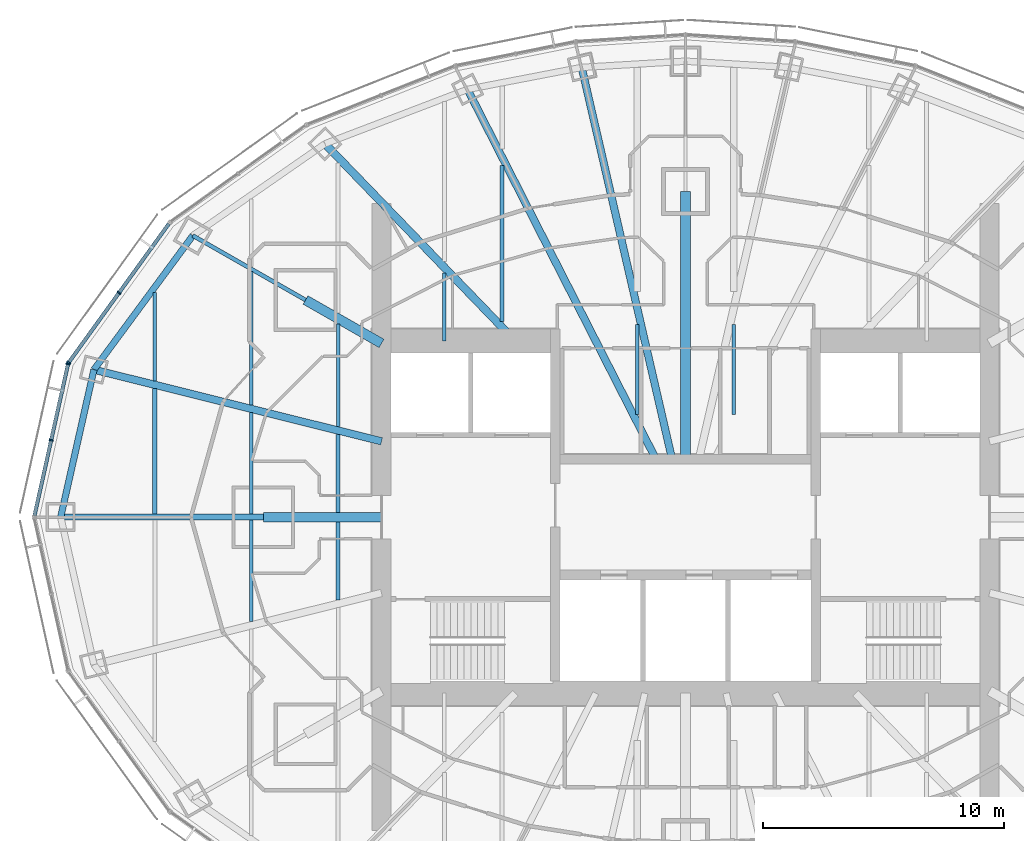
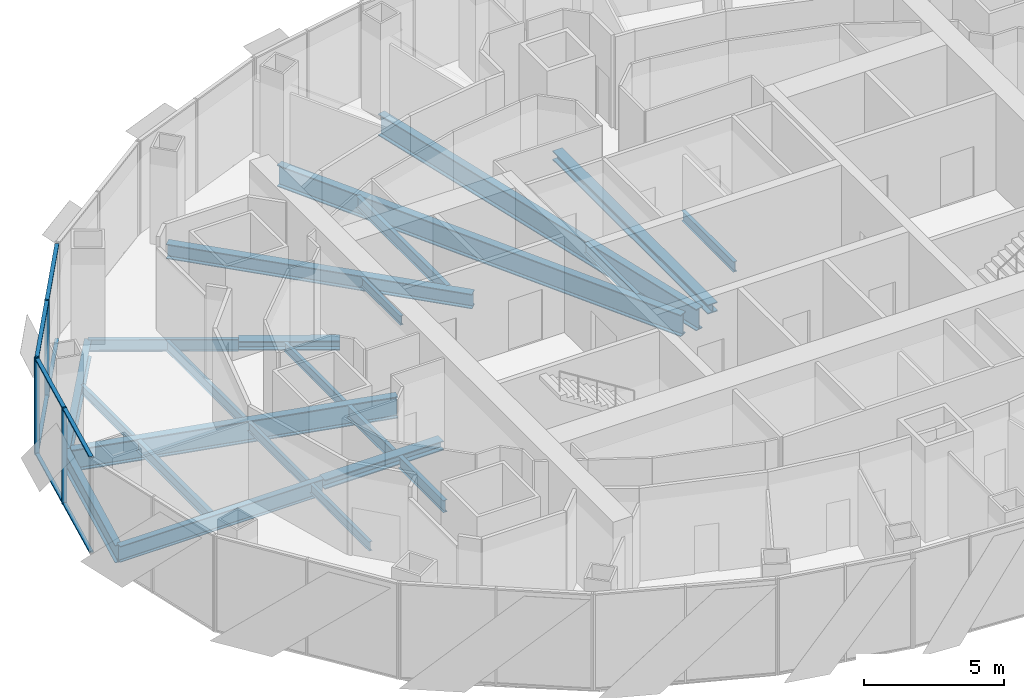
# One storey, part 4 of 18: 23 beams, 12 members, 2 elements without a shape of their own.
"""IFC4 building model written with IfcOpenShell, lengths in metres."""

from ifc_helpers import new_model, si_unit, direction, frame, origin, origin_2d, place, context, subcontext, project, spatial, rectangle, i_section, extrude, material, material_profile, profile_set, type_object, element, aggregate, save


model = new_model("IFC4")

# Units and contexts
model_context = context("Model", 3, precision=1e-05, world=origin(), true_north=direction((0.0, 1.0)))
body_context = subcontext(model_context, "Body", "Model", "MODEL_VIEW")
ifc_project = project(units=[si_unit("LENGTHUNIT", "METRE"), si_unit("AREAUNIT", "SQUARE_METRE"), si_unit("VOLUMEUNIT", "CUBIC_METRE"), si_unit("PLANEANGLEUNIT", "RADIAN"), si_unit("MASSUNIT", "GRAM", prefix="KILO")], contexts=[model_context])

# Site, building, storey
site_placement = place(None, origin())
site = spatial("IfcSite", under=ifc_project, at=site_placement, CompositionType="ELEMENT")
building_placement = place(site_placement, origin())
building = spatial("IfcBuilding", under=site, at=building_placement, Name="Lantaw Convention Tower", CompositionType="ELEMENT")
storey_placement = place(building_placement, frame((0.0, 0.0, 236.800048828125)))
storey = spatial("IfcBuildingStorey", under=building, at=storey_placement, Name="L55", CompositionType="ELEMENT", Elevation=236.800048828125)

# Beams
ifc_material_1 = material(Name="Steel ASTM A992", Category="steel")
ifc_material_profile_1 = material_profile(ifc_material_1, i_section(OverallWidth=0.2666015625, OverallDepth=0.76953125, WebThickness=0.015625, FlangeThickness=0.025390625, FilletRadius=0.0126953125, at=origin_2d()), Name="W30X132")
ifc_profile_set_1 = profile_set([ifc_material_profile_1], Name="Steel ASTM A992")
beam_type_1 = type_object("IfcBeamType", Name="Beam E W30X132", PredefinedType="SPANDREL", material=ifc_profile_set_1)
beam_1_placement = place(storey_placement, frame((-20.423095703125, 11.67041015625, -0.534912109375), z_axis=(-0.593639188853, -0.804731329984, 0.0), x_axis=(0.804731329984, -0.593639188853, 0.0)))
element("IfcBeam", 1, at=beam_1_placement, inside=storey, type_object=beam_type_1, Name="Edge beam 11", PredefinedType="SPANDREL", context=body_context, shape_type="SweptSolid", body=[
    extrude(i_section(OverallWidth=0.2666015625, OverallDepth=0.76953125, WebThickness=0.015625, FlangeThickness=0.025390625, FilletRadius=0.0126953125, at=origin_2d()), origin(), (0.0, 0.0, 1.0), 6.904541015625),
])
beam_2_placement = place(storey_placement, frame((-24.52197265625, 6.114013671875, -0.534912109375), z_axis=(-0.219857926596, -0.97553190215, 0.0), x_axis=(0.97553190215, -0.219857926596, 0.0)))
element("IfcBeam", 2, at=beam_2_placement, inside=storey, type_object=beam_type_1, Name="Edge beam 12", PredefinedType="SPANDREL", context=body_context, shape_type="SweptSolid", body=[
    extrude(i_section(OverallWidth=0.2666015625, OverallDepth=0.76953125, WebThickness=0.015625, FlangeThickness=0.025390625, FilletRadius=0.0126953125, at=origin_2d()), origin(), (0.0, 0.0, 1.0), 6.267333984375),
])
ifc_material_profile_2 = material_profile(ifc_material_1, i_section(OverallWidth=0.1650390625, OverallDepth=0.52587890625, WebThickness=0.0087890625, FlangeThickness=0.011474609375, FilletRadius=0.0126953125, at=origin_2d()), Name="W21X44")
ifc_profile_set_2 = profile_set([ifc_material_profile_2], Name="Steel ASTM A992")
beam_type_2 = type_object("IfcBeamType", Name="Beam G W21X44", PredefinedType="BEAM", material=ifc_profile_set_2)
beam_3_placement = place(storey_placement, frame((-15.75, 9.0, -0.412841796875), z_axis=(-0.868237559289, 0.496148708192, 0.0), x_axis=(-0.496148708192, -0.868237559289, 0.0)))
element("IfcBeam", 3, at=beam_3_placement, inside=storey, type_object=beam_type_2, Name="Floor girder on ray 11", PredefinedType="BEAM", context=body_context, shape_type="SweptSolid", body=[
    extrude(i_section(OverallWidth=0.1650390625, OverallDepth=0.52587890625, WebThickness=0.0087890625, FlangeThickness=0.011474609375, FilletRadius=0.0126953125, at=origin_2d()), origin(), (0.0, 0.0, 1.0), 5.38232421875),
])
ifc_material_profile_3 = material_profile(ifc_material_1, i_section(OverallWidth=0.32763671875, OverallDepth=0.64013671875, WebThickness=0.01904296875, FlangeThickness=0.033935546875, FilletRadius=0.0126953125, at=origin_2d()), Name="W24X176")
ifc_profile_set_3 = profile_set([ifc_material_profile_3], Name="Steel ASTM A992")
beam_type_3 = type_object("IfcBeamType", Name="Beam G W24X176", PredefinedType="BEAM", material=ifc_profile_set_3)
beam_4_placement = place(storey_placement, frame((-7.049560546875, 7.300048828125, -0.469970703125), z_axis=(-0.694657766726, 0.719340383356, 0.0), x_axis=(-0.719340383356, -0.694657766726, 0.0)))
element("IfcBeam", 4, at=beam_4_placement, inside=storey, type_object=beam_type_3, Name="Floor girder on ray 10", PredefinedType="BEAM", context=body_context, shape_type="SweptSolid", body=[
    extrude(i_section(OverallWidth=0.32763671875, OverallDepth=0.64013671875, WebThickness=0.01904296875, FlangeThickness=0.033935546875, FilletRadius=0.0126953125, at=origin_2d()), origin(), (0.0, 0.0, 1.0), 11.364990234375),
])
ifc_material_profile_4 = material_profile(ifc_material_1, i_section(OverallWidth=0.25390625, OverallDepth=0.700927734375, WebThickness=0.015380859375, FlangeThickness=0.02783203125, FilletRadius=0.01513671875, at=origin_2d()), Name="W27X129")
ifc_profile_set_4 = profile_set([ifc_material_profile_4], Name="Steel ASTM A992")
beam_type_4 = type_object("IfcBeamType", Name="Beam G W27X129", PredefinedType="BEAM", material=ifc_profile_set_4)
beam_5_placement = place(storey_placement, frame((-17.5, 0.0, -0.50048828125), z_axis=(-1.0, 0.0, 0.0), x_axis=(0.0, -1.0, 0.0)))
element("IfcBeam", 5, at=beam_5_placement, inside=storey, type_object=beam_type_4, Name="Floor girder on ray 13", PredefinedType="BEAM", context=body_context, shape_type="SweptSolid", body=[
    extrude(i_section(OverallWidth=0.25390625, OverallDepth=0.700927734375, WebThickness=0.015380859375, FlangeThickness=0.02783203125, FilletRadius=0.01513671875, at=origin_2d()), origin(), (0.0, 0.0, 1.0), 8.39990234375),
])
ifc_material_profile_5 = material_profile(ifc_material_1, i_section(OverallWidth=0.307373046875, OverallDepth=0.9423828125, WebThickness=0.022216796875, FlangeThickness=0.039794921875, FilletRadius=0.0126953125, at=origin_2d()), Name="W36X232")
ifc_profile_set_5 = profile_set([ifc_material_profile_5], Name="Steel ASTM A992")
beam_type_5 = type_object("IfcBeamType", Name="Beam G W36X232", PredefinedType="BEAM", material=ifc_profile_set_5)
beam_6_placement = place(storey_placement, frame((-0.55419921875, 2.39990234375, -0.621337890625), z_axis=(-0.224948287002, 0.974370703672, 0.0), x_axis=(-0.974370703672, -0.224948287002, 0.0)))
element("IfcBeam", 6, at=beam_6_placement, inside=storey, type_object=beam_type_5, Name="Floor girder on ray 8", PredefinedType="BEAM", context=body_context, shape_type="SweptSolid", body=[
    extrude(i_section(OverallWidth=0.307373046875, OverallDepth=0.9423828125, WebThickness=0.022216796875, FlangeThickness=0.039794921875, FilletRadius=0.0126953125, at=origin_2d()), origin(), (0.0, 0.0, 1.0), 16.66943359375),
])
beam_7_placement = place(storey_placement, frame((-1.222900390625, 2.39990234375, -0.621337890625), z_axis=(-0.453988481463, 0.891007552549, 0.0), x_axis=(-0.891007552549, -0.453988481463, 0.0)))
element("IfcBeam", 7, at=beam_7_placement, inside=storey, type_object=beam_type_5, Name="Floor girder on ray 9", PredefinedType="BEAM", context=body_context, shape_type="SweptSolid", body=[
    extrude(i_section(OverallWidth=0.307373046875, OverallDepth=0.9423828125, WebThickness=0.022216796875, FlangeThickness=0.039794921875, FilletRadius=0.0126953125, at=origin_2d()), origin(), (0.0, 0.0, 1.0), 17.20703125),
])
beam_8_placement = place(storey_placement, frame((-12.60009765625, 3.1416015625, -0.621337890625), z_axis=(-0.970296589314, 0.241918434119, 0.0), x_axis=(-0.241918434119, -0.970296589314, 0.0)))
element("IfcBeam", 8, at=beam_8_placement, inside=storey, type_object=beam_type_5, Name="Floor girder on ray 12", PredefinedType="BEAM", context=body_context, shape_type="SweptSolid", body=[
    extrude(i_section(OverallWidth=0.307373046875, OverallDepth=0.9423828125, WebThickness=0.022216796875, FlangeThickness=0.039794921875, FilletRadius=0.0126953125, at=origin_2d()), origin(), (0.0, 0.0, 1.0), 12.286865234375),
])
ifc_material_profile_6 = material_profile(ifc_material_1, i_section(OverallWidth=0.40380859375, OverallDepth=0.406494140625, WebThickness=0.027099609375, FlangeThickness=0.043701171875, FilletRadius=0.01513671875, at=origin_2d()), Name="W14X233")
ifc_profile_set_6 = profile_set([ifc_material_profile_6], Name="Steel ASTM A992")
beam_type_6 = type_object("IfcBeamType", Name="Beam GM W14X233", PredefinedType="BEAM", material=ifc_profile_set_6)
beam_9_placement = place(storey_placement, frame((0.0, 2.39990234375, -0.353271484375), z_axis=(0.0, 1.0, 0.0), x_axis=(-1.0, 0.0, 0.0)))
element("IfcBeam", 9, at=beam_9_placement, inside=storey, type_object=beam_type_6, Name="Core link beam on ray 7", PredefinedType="BEAM", context=body_context, shape_type="SweptSolid", body=[
    extrude(i_section(OverallWidth=0.40380859375, OverallDepth=0.406494140625, WebThickness=0.027099609375, FlangeThickness=0.043701171875, FilletRadius=0.01513671875, at=origin_2d()), origin(), (0.0, 0.0, 1.0), 11.10009765625),
])
beam_10_placement = place(storey_placement, frame((-12.60009765625, 7.199951171875, -0.353271484375), z_axis=(-0.868230718294, 0.496160679428, 0.0), x_axis=(-0.496160679428, -0.868230718294, 0.0)))
element("IfcBeam", 10, at=beam_10_placement, inside=storey, type_object=beam_type_6, Name="Core link beam on ray 11", PredefinedType="BEAM", context=body_context, shape_type="SweptSolid", body=[
    extrude(i_section(OverallWidth=0.40380859375, OverallDepth=0.406494140625, WebThickness=0.027099609375, FlangeThickness=0.043701171875, FilletRadius=0.01513671875, at=origin_2d()), origin(), (0.0, 0.0, 1.0), 3.6279296875),
])
beam_11_placement = place(storey_placement, frame((-12.60009765625, 0.0, -0.353271484375), z_axis=(-1.0, 0.0, 0.0), x_axis=(0.0, -1.0, 0.0)))
element("IfcBeam", 11, at=beam_11_placement, inside=storey, type_object=beam_type_6, Name="Core link beam on ray 13", PredefinedType="BEAM", context=body_context, shape_type="SweptSolid", body=[
    extrude(i_section(OverallWidth=0.40380859375, OverallDepth=0.406494140625, WebThickness=0.027099609375, FlangeThickness=0.043701171875, FilletRadius=0.01513671875, at=origin_2d()), origin(), (0.0, 0.0, 1.0), 4.89990234375),
])
ifc_material_profile_7 = material_profile(ifc_material_1, i_section(OverallWidth=0.140380859375, OverallDepth=0.40380859375, WebThickness=0.007080078125, FlangeThickness=0.01123046875, FilletRadius=0.01025390625, at=origin_2d()), Name="W16X31")
ifc_profile_set_7 = profile_set([ifc_material_profile_7], Name="Steel ASTM A992")
beam_type_7 = type_object("IfcBeamType", Name="Beam J W16X31", PredefinedType="JOIST", material=ifc_profile_set_7)
beam_12_placement = place(storey_placement, frame((-22.0, 5.6435546875, -0.35205078125), z_axis=(0.0, 1.0, 0.0), x_axis=(-1.0, 0.0, 0.0)))
element("IfcBeam", 12, at=beam_12_placement, inside=storey, type_object=beam_type_7, Name="Floor joist", PredefinedType="JOIST", context=body_context, shape_type="SweptSolid", body=[
    extrude(i_section(OverallWidth=0.140380859375, OverallDepth=0.40380859375, WebThickness=0.007080078125, FlangeThickness=0.01123046875, FilletRadius=0.01025390625, at=origin_2d()), origin(), (0.0, 0.0, 1.0), 3.66455078125),
])
for number, where, z_axis, x_axis, name in (
    (13, (-18.0, -4.32958984375, -0.35205078125), (0.0, 1.0, 0.0), (-1.0, 0.0, 0.0), "Floor joist"),
    (14, (-18.0, 0.126953125, -0.35205078125), (0.0, 1.0, 0.0), (-1.0, 0.0, 0.0), "Floor joist"),
):
    element("IfcBeam", number, at=place(storey_placement, frame(where, z_axis=z_axis, x_axis=x_axis)), inside=storey, type_object=beam_type_7, Name=name, PredefinedType="JOIST", context=body_context, shape_type="SweptSolid", body=[
        extrude(i_section(OverallWidth=0.140380859375, OverallDepth=0.40380859375, WebThickness=0.007080078125, FlangeThickness=0.01123046875, FilletRadius=0.01025390625, at=origin_2d()), origin(), (0.0, 0.0, 1.0), 4.20263671875),
    ])
beam_13_placement = place(storey_placement, frame((-14.39990234375, 3.748779296875, -0.35205078125), z_axis=(0.0, 1.0, 0.0), x_axis=(-1.0, 0.0, 0.0)))
element("IfcBeam", 15, at=beam_13_placement, inside=storey, type_object=beam_type_7, Name="Floor joist", PredefinedType="JOIST", context=body_context, shape_type="SweptSolid", body=[
    extrude(i_section(OverallWidth=0.140380859375, OverallDepth=0.40380859375, WebThickness=0.007080078125, FlangeThickness=0.01123046875, FilletRadius=0.01025390625, at=origin_2d()), origin(), (0.0, 0.0, 1.0), 4.247314453125),
])
beam_14_placement = place(storey_placement, frame((-10.0, 7.300048828125, -0.35205078125), z_axis=(0.0, 1.0, 0.0), x_axis=(-1.0, 0.0, 0.0)))
element("IfcBeam", 16, at=beam_14_placement, inside=storey, type_object=beam_type_7, Name="Floor joist", PredefinedType="JOIST", context=body_context, shape_type="SweptSolid", body=[
    extrude(i_section(OverallWidth=0.140380859375, OverallDepth=0.40380859375, WebThickness=0.007080078125, FlangeThickness=0.01123046875, FilletRadius=0.01025390625, at=origin_2d()), origin(), (0.0, 0.0, 1.0), 2.8193359375),
])
ifc_material_profile_8 = material_profile(ifc_material_1, i_section(OverallWidth=0.15234375, OverallDepth=0.449462890625, WebThickness=0.007568359375, FlangeThickness=0.0107421875, FilletRadius=0.01025390625, at=origin_2d()), Name="W18X35")
ifc_profile_set_8 = profile_set([ifc_material_profile_8], Name="Steel ASTM A992")
beam_type_8 = type_object("IfcBeamType", Name="Beam J W18X35", PredefinedType="JOIST", material=ifc_profile_set_8)
beam_15_placement = place(storey_placement, frame((-18.0, 4.646240234375, -0.374755859375), z_axis=(0.0, 1.0, 0.0), x_axis=(-1.0, 0.0, 0.0)))
element("IfcBeam", 17, at=beam_15_placement, inside=storey, type_object=beam_type_8, Name="Floor joist", PredefinedType="JOIST", context=body_context, shape_type="SweptSolid", body=[
    extrude(i_section(OverallWidth=0.15234375, OverallDepth=0.449462890625, WebThickness=0.007568359375, FlangeThickness=0.0107421875, FilletRadius=0.01025390625, at=origin_2d()), origin(), (0.0, 0.0, 1.0), 5.54443359375),
])
for number, where, z_axis, x_axis, name in (
    (18, (-2.0, 4.263671875, -0.374755859375), (0.0, 1.0, 0.0), (-1.0, 0.0, 0.0), "Floor joist"),
    (19, (2.0, 4.263671875, -0.374755859375), (0.0, 1.0, 0.0), (-1.0, 0.0, 0.0), "Floor joist"),
):
    element("IfcBeam", number, at=place(storey_placement, frame(where, z_axis=z_axis, x_axis=x_axis)), inside=storey, type_object=beam_type_8, Name=name, PredefinedType="JOIST", context=body_context, shape_type="SweptSolid", body=[
        extrude(i_section(OverallWidth=0.15234375, OverallDepth=0.449462890625, WebThickness=0.007568359375, FlangeThickness=0.0107421875, FilletRadius=0.01025390625, at=origin_2d()), origin(), (0.0, 0.0, 1.0), 3.716064453125),
    ])
ifc_material_profile_9 = material_profile(ifc_material_1, i_section(OverallWidth=0.1904296875, OverallDepth=0.457275390625, WebThickness=0.009033203125, FlangeThickness=0.014404296875, FilletRadius=0.01025390625, at=origin_2d()), Name="W18X50")
ifc_profile_set_9 = profile_set([ifc_material_profile_9], Name="Steel ASTM A992")
beam_type_9 = type_object("IfcBeamType", Name="Beam J W18X50", PredefinedType="JOIST", material=ifc_profile_set_9)
beam_16_placement = place(storey_placement, frame((-22.0, 0.126953125, -0.378662109375), z_axis=(0.0, 1.0, 0.0), x_axis=(-1.0, 0.0, 0.0)))
element("IfcBeam", 20, at=beam_16_placement, inside=storey, type_object=beam_type_9, Name="Floor joist", PredefinedType="JOIST", context=body_context, shape_type="SweptSolid", body=[
    extrude(i_section(OverallWidth=0.1904296875, OverallDepth=0.457275390625, WebThickness=0.009033203125, FlangeThickness=0.014404296875, FilletRadius=0.01025390625, at=origin_2d()), origin(), (0.0, 0.0, 1.0), 5.199951171875),
])
ifc_material_profile_10 = material_profile(ifc_material_1, i_section(OverallWidth=0.1650390625, OverallDepth=0.52587890625, WebThickness=0.0087890625, FlangeThickness=0.011474609375, FilletRadius=0.0126953125, at=origin_2d()), Name="W21X44")
ifc_profile_set_10 = profile_set([ifc_material_profile_10], Name="Steel ASTM A992")
beam_type_10 = type_object("IfcBeamType", Name="Beam J W21X44", PredefinedType="JOIST", material=ifc_profile_set_10)
for number, where, z_axis, x_axis, name in (
    (21, (-14.39990234375, -3.431884765625, -0.412841796875), (0.0, 1.0, 0.0), (-1.0, 0.0, 0.0), "Floor joist"),
    (22, (-14.39990234375, 0.201904296875, -0.412841796875), (0.0, 1.0, 0.0), (-1.0, 0.0, 0.0), "Floor joist"),
):
    element("IfcBeam", number, at=place(storey_placement, frame(where, z_axis=z_axis, x_axis=x_axis)), inside=storey, type_object=beam_type_10, Name=name, PredefinedType="JOIST", context=body_context, shape_type="SweptSolid", body=[
        extrude(i_section(OverallWidth=0.1650390625, OverallDepth=0.52587890625, WebThickness=0.0087890625, FlangeThickness=0.011474609375, FilletRadius=0.0126953125, at=origin_2d()), origin(), (0.0, 0.0, 1.0), 3.22998046875),
    ])
beam_17_placement = place(storey_placement, frame((-7.60009765625, 8.10595703125, -0.412841796875), z_axis=(0.0, 1.0, 0.0), x_axis=(-1.0, 0.0, 0.0)))
element("IfcBeam", 23, at=beam_17_placement, inside=storey, type_object=beam_type_10, Name="Floor joist", PredefinedType="JOIST", context=body_context, shape_type="SweptSolid", body=[
    extrude(i_section(OverallWidth=0.1650390625, OverallDepth=0.52587890625, WebThickness=0.0087890625, FlangeThickness=0.011474609375, FilletRadius=0.0126953125, at=origin_2d()), origin(), (0.0, 0.0, 1.0), 6.471435546875),
])

# Curtain wall, members
ifc_material_2 = material(Name="Aluminium framed curtain wall", Category="aluminium")
curtain_wall_type = type_object("IfcCurtainWallType", Name="Office curtain wall high rise, pale aluminium", PredefinedType="USERDEFINED", material=ifc_material_2)
curtain_wall_1_placement = place(storey_placement, origin())
curtain_wall_1 = element("IfcCurtainWall", 24, at=curtain_wall_1_placement, inside=storey, type_object=curtain_wall_type, Name="Office curtain wall high rise, pale aluminium L55", ObjectType="UNITISED CURTAIN WALL", PredefinedType="USERDEFINED")
ifc_material_3 = material(Name="Aluminium 6063-T6", Category="aluminium")
ifc_material_profile_11 = material_profile(ifc_material_3, rectangle(XDim=0.179931640625, YDim=0.06494140625, at=origin_2d()), Name="CW-O2 mullion 65x180")
ifc_profile_set_11 = profile_set([ifc_material_profile_11], Name="Aluminium 6063-T6")
member_type_1 = type_object("IfcMemberType", Name="CW-O2 mullion 65x180", PredefinedType="MULLION", material=ifc_profile_set_11)
member_1_placement = place(storey_placement, frame((-23.483642578125, 9.298095703125, -0.150146484375), z_axis=(0.0, 0.0, 1.0), x_axis=(0.810919559405, -0.585157643865, 0.0)))
member_1 = element("IfcMember", 25, at=member_1_placement, type_object=member_type_1, Name="CW-O2 mullion 2", PredefinedType="MULLION", context=body_context, shape_type="SweptSolid", body=[
    extrude(rectangle(XDim=0.179931640625, YDim=0.06494140625, at=origin_2d()), origin(), (0.0, 0.0, 1.0), 4.2001953125),
])
member_2_placement = place(storey_placement, frame((-25.5703125, 6.406494140625, -0.150146484375), z_axis=(0.0, 0.0, 1.0), x_axis=(0.810919559405, -0.585157643865, 0.0)))
member_2 = element("IfcMember", 26, at=member_2_placement, type_object=member_type_1, Name="CW-O2 mullion 3", PredefinedType="MULLION", context=body_context, shape_type="SweptSolid", body=[
    extrude(rectangle(XDim=0.179931640625, YDim=0.06494140625, at=origin_2d()), origin(), (0.0, 0.0, 1.0), 4.2001953125),
])

curtain_wall_2_placement = place(storey_placement, origin())
curtain_wall_2 = element("IfcCurtainWall", 27, at=curtain_wall_2_placement, inside=storey, type_object=curtain_wall_type, Name="Office curtain wall high rise, pale aluminium L55", ObjectType="UNITISED CURTAIN WALL", PredefinedType="USERDEFINED")
member_3_placement = place(storey_placement, frame((-25.596435546875, 6.348388671875, -0.150146484375), z_axis=(0.0, 0.0, 1.0), x_axis=(0.976417396437, -0.215891333626, 0.0)))
member_3 = element("IfcMember", 28, at=member_3_placement, type_object=member_type_1, Name="CW-O2 mullion 1", PredefinedType="MULLION", context=body_context, shape_type="SweptSolid", body=[
    extrude(rectangle(XDim=0.179931640625, YDim=0.06494140625, at=origin_2d()), origin(), (0.0, 0.0, 1.0), 4.2001953125),
])
member_4_placement = place(storey_placement, frame((-26.294677734375, 3.190185546875, -0.150146484375), z_axis=(0.0, 0.0, 1.0), x_axis=(0.976417396437, -0.215891333626, 0.0)))
member_4 = element("IfcMember", 29, at=member_4_placement, type_object=member_type_1, Name="CW-O2 mullion 2", PredefinedType="MULLION", context=body_context, shape_type="SweptSolid", body=[
    extrude(rectangle(XDim=0.179931640625, YDim=0.06494140625, at=origin_2d()), origin(), (0.0, 0.0, 1.0), 4.2001953125),
])

# Member
ifc_material_profile_12 = material_profile(ifc_material_3, rectangle(XDim=0.14990234375, YDim=0.06494140625, at=origin_2d()), Name="CW-O2 transom 65x150")
ifc_profile_set_12 = profile_set([ifc_material_profile_12], Name="Aluminium 6063-T6")
member_type_2 = type_object("IfcMemberType", Name="CW-O2 transom 65x150", PredefinedType="USERDEFINED", material=ifc_profile_set_12)
member_5_placement = place(storey_placement, frame((-21.416259765625, 12.163330078125, -0.117431640625), z_axis=(-0.585123825205, -0.810943961798, 0.0), x_axis=(0.810943961798, -0.585123825205, 0.0)))
member_5 = element("IfcMember", 30, at=member_5_placement, type_object=member_type_2, Name="CW-O2 transom 1.1", ObjectType="TRANSOM", PredefinedType="USERDEFINED", context=body_context, shape_type="SweptSolid", body=[
    extrude(rectangle(XDim=0.14990234375, YDim=0.06494140625, at=origin_2d()), origin(), (0.0, 0.0, 1.0), 3.500732421875),
])

member_6_placement = place(storey_placement, frame((-21.416259765625, 12.163330078125, 4.017333984375), z_axis=(-0.585123825205, -0.810943961798, 0.0), x_axis=(0.810943961798, -0.585123825205, 0.0)))
member_6 = element("IfcMember", 31, at=member_6_placement, type_object=member_type_2, Name="CW-O2 transom 1.2", ObjectType="TRANSOM", PredefinedType="USERDEFINED", context=body_context, shape_type="SweptSolid", body=[
    extrude(rectangle(XDim=0.14990234375, YDim=0.06494140625, at=origin_2d()), origin(), (0.0, 0.0, 1.0), 3.500732421875),
])

member_7_placement = place(storey_placement, frame((-23.502685546875, 9.271728515625, -0.117431640625), z_axis=(-0.585169685931, -0.810910869743, 0.0), x_axis=(0.810910869743, -0.585169685931, 0.0)))
member_7 = element("IfcMember", 32, at=member_7_placement, type_object=member_type_2, Name="CW-O2 transom 2.1", ObjectType="TRANSOM", PredefinedType="USERDEFINED", context=body_context, shape_type="SweptSolid", body=[
    extrude(rectangle(XDim=0.14990234375, YDim=0.06494140625, at=origin_2d()), origin(), (0.0, 0.0, 1.0), 3.500732421875),
])

member_8_placement = place(storey_placement, frame((-23.502685546875, 9.271728515625, 4.017333984375), z_axis=(-0.585169685931, -0.810910869743, 0.0), x_axis=(0.810910869743, -0.585169685931, 0.0)))
member_8 = element("IfcMember", 33, at=member_8_placement, type_object=member_type_2, Name="CW-O2 transom 2.2", ObjectType="TRANSOM", PredefinedType="USERDEFINED", context=body_context, shape_type="SweptSolid", body=[
    extrude(rectangle(XDim=0.14990234375, YDim=0.06494140625, at=origin_2d()), origin(), (0.0, 0.0, 1.0), 3.500732421875),
])

aggregate(curtain_wall_1, [member_1, member_2, member_5, member_6, member_7, member_8])

member_9_placement = place(storey_placement, frame((-25.603271484375, 6.316650390625, -0.117431640625), z_axis=(-0.215894607042, -0.976416672661, 0.0), x_axis=(0.976416672661, -0.215894607042, 0.0)))
member_9 = element("IfcMember", 34, at=member_9_placement, type_object=member_type_2, Name="CW-O2 transom 1.1", ObjectType="TRANSOM", PredefinedType="USERDEFINED", context=body_context, shape_type="SweptSolid", body=[
    extrude(rectangle(XDim=0.14990234375, YDim=0.06494140625, at=origin_2d()), origin(), (0.0, 0.0, 1.0), 3.169677734375),
])

member_10_placement = place(storey_placement, frame((-25.603271484375, 6.316650390625, 4.017333984375), z_axis=(-0.215894607042, -0.976416672661, 0.0), x_axis=(0.976416672661, -0.215894607042, 0.0)))
member_10 = element("IfcMember", 35, at=member_10_placement, type_object=member_type_2, Name="CW-O2 transom 1.2", ObjectType="TRANSOM", PredefinedType="USERDEFINED", context=body_context, shape_type="SweptSolid", body=[
    extrude(rectangle(XDim=0.14990234375, YDim=0.06494140625, at=origin_2d()), origin(), (0.0, 0.0, 1.0), 3.169677734375),
])

member_11_placement = place(storey_placement, frame((-26.3017578125, 3.158447265625, -0.117431640625), z_axis=(-0.215894607042, -0.976416672661, 0.0), x_axis=(0.976416672661, -0.215894607042, 0.0)))
member_11 = element("IfcMember", 36, at=member_11_placement, type_object=member_type_2, Name="CW-O2 transom 2.1", ObjectType="TRANSOM", PredefinedType="USERDEFINED", context=body_context, shape_type="SweptSolid", body=[
    extrude(rectangle(XDim=0.14990234375, YDim=0.06494140625, at=origin_2d()), origin(), (0.0, 0.0, 1.0), 3.169677734375),
])

member_12_placement = place(storey_placement, frame((-26.3017578125, 3.158447265625, 4.017333984375), z_axis=(-0.215894607042, -0.976416672661, 0.0), x_axis=(0.976416672661, -0.215894607042, 0.0)))
member_12 = element("IfcMember", 37, at=member_12_placement, type_object=member_type_2, Name="CW-O2 transom 2.2", ObjectType="TRANSOM", PredefinedType="USERDEFINED", context=body_context, shape_type="SweptSolid", body=[
    extrude(rectangle(XDim=0.14990234375, YDim=0.06494140625, at=origin_2d()), origin(), (0.0, 0.0, 1.0), 3.169677734375),
])

aggregate(curtain_wall_2, [member_3, member_4, member_9, member_10, member_11, member_12])

save(model, "model.ifc")
